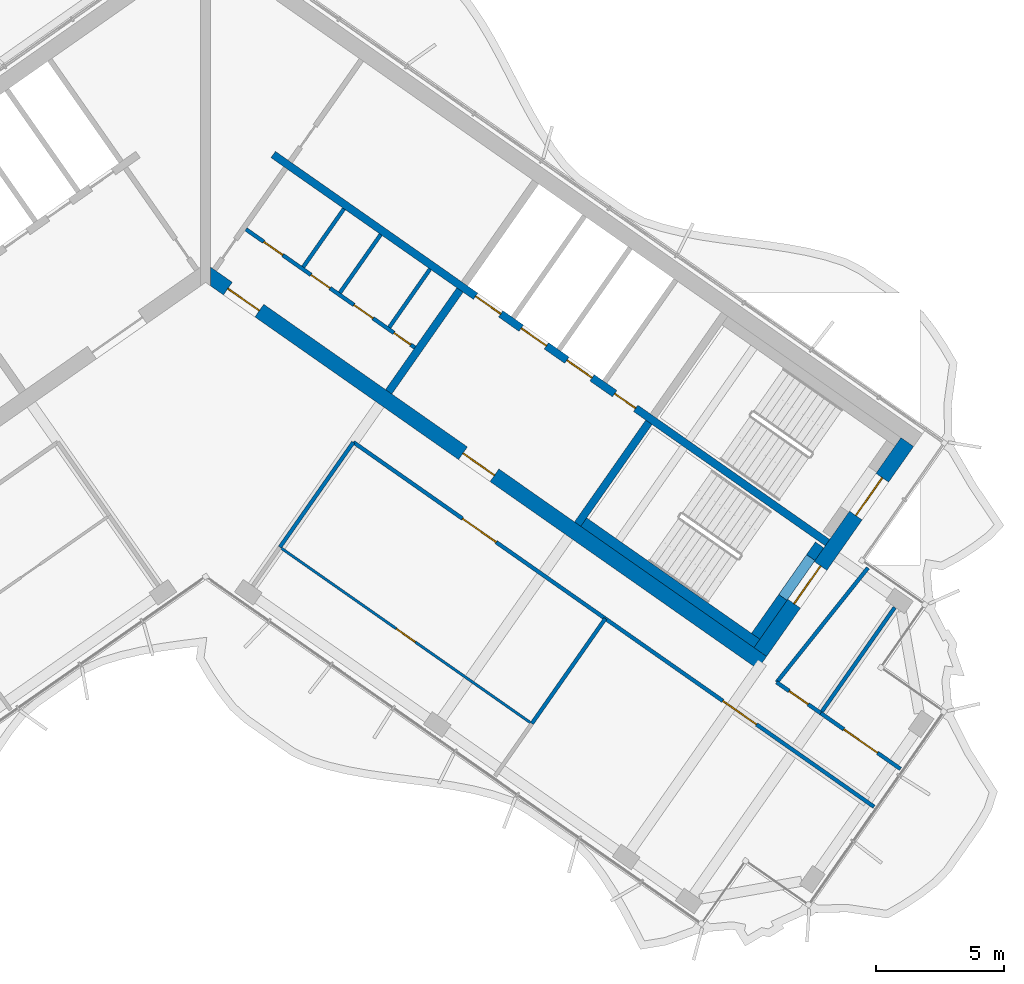
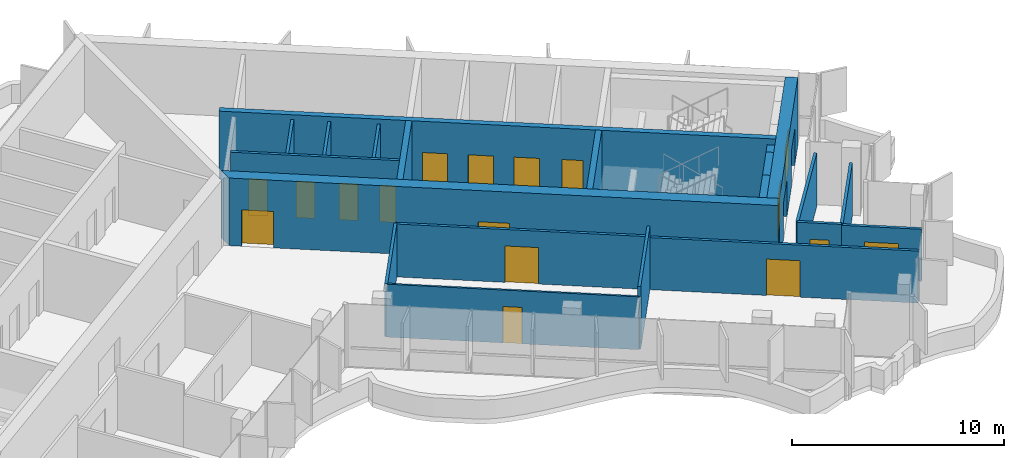
# One storey, part 10 of 18: 22 walls, 17 doors, 17 openings.
"""IFC4 building model written with IfcOpenShell, lengths in metres."""

from ifc_helpers import new_model, si_unit, direction, frame, frame_2d, origin, place, context, subcontext, project, spatial, polyline, rectangle, outline, extrude, material, layer, layer_set, type_object, element, fill, save


model = new_model("IFC4")

# Units and contexts
model_context = context("Model", 3, precision=1e-05, world=origin(), true_north=direction((0.0, 1.0)))
body_context = subcontext(model_context, "Body", "Model", "MODEL_VIEW")
ifc_project = project(units=[si_unit("LENGTHUNIT", "METRE"), si_unit("AREAUNIT", "SQUARE_METRE"), si_unit("VOLUMEUNIT", "CUBIC_METRE"), si_unit("PLANEANGLEUNIT", "RADIAN"), si_unit("MASSUNIT", "GRAM", prefix="KILO")], contexts=[model_context])

# Site, building, storey
site_placement = place(None, origin())
site = spatial("IfcSite", under=ifc_project, at=site_placement, CompositionType="ELEMENT")
building_placement = place(site_placement, origin())
building = spatial("IfcBuilding", under=site, at=building_placement, Name="Tel Ilan Convention Tower", CompositionType="ELEMENT")
storey_placement = place(building_placement, frame((0.0, 0.0, 299.5)))
storey = spatial("IfcBuildingStorey", under=building, at=storey_placement, Name="L71", CompositionType="ELEMENT", Elevation=299.5)

# Wall, openings, doors
ifc_material_1 = material(Name="Gypsum Plasterboard on Steel Stud", Category="steel")
ifc_layer_1 = layer(ifc_material_1, 0.14990234375)
ifc_layer_set_1 = layer_set([ifc_layer_1], Name="Core Room Partition Wall 150 mm EI 60")
wall_type_1 = type_object("IfcWallType", Name="Core Room Partition Wall 150 mm EI 60", PredefinedType="PARTITIONING", material=ifc_layer_set_1)
wall_1_placement = place(storey_placement, frame((1.572998046875, 0.851806640625, 0.0), z_axis=(0.0, 0.0, 1.0), x_axis=(0.819160673808, -0.573564111924, 0.0)))
wall_1 = element("IfcWall", 1, at=wall_1_placement, inside=storey, type_object=wall_type_1, Name="L71 core wall wc-h1", PredefinedType="PARTITIONING", context=body_context, shape_type="SweptSolid", body=[
    extrude(rectangle(XDim=8.050048828125, YDim=0.14990234375, at=frame_2d((4.02490234375, 0.0))), origin(), (0.0, 0.0, 1.0), 3.6201171875),
])
opening_1_placement = place(wall_1_placement, frame((0.85009765625, 0.0, 0.0)))
opening_1 = element("IfcOpeningElement", 2, at=opening_1_placement, cuts=wall_1, Name="Opening CD5414", PredefinedType="OPENING", context=body_context, shape_type="SweptSolid", body=[
    extrude(rectangle(XDim=0.89990234375, YDim=2.10009765625, at=frame_2d((0.449951171875, 1.050048828125))), frame((0.0, 0.0849609375, 0.0), z_axis=(0.0, -1.0, 0.0), x_axis=(1.0, 0.0, 0.0)), (0.0, 0.0, 1.0), 0.169921875),
])
opening_2_placement = place(wall_1_placement, frame((3.10009765625, 0.0, 0.0)))
opening_2 = element("IfcOpeningElement", 3, at=opening_2_placement, cuts=wall_1, Name="Opening CD5411", PredefinedType="OPENING", context=body_context, shape_type="SweptSolid", body=[
    extrude(rectangle(XDim=0.89990234375, YDim=2.10009765625, at=frame_2d((0.449951171875, 1.050048828125))), frame((0.0, 0.0849609375, 0.0), z_axis=(0.0, -1.0, 0.0), x_axis=(1.0, 0.0, 0.0)), (0.0, 0.0, 1.0), 0.169921875),
])
opening_3_placement = place(wall_1_placement, frame((5.14990234375, 0.0, 0.0)))
opening_3 = element("IfcOpeningElement", 4, at=opening_3_placement, cuts=wall_1, Name="Opening CD5413", PredefinedType="OPENING", context=body_context, shape_type="SweptSolid", body=[
    extrude(rectangle(XDim=0.89990234375, YDim=2.10009765625, at=frame_2d((0.449951171875, 1.050048828125))), frame((0.0, 0.0849609375, 0.0), z_axis=(0.0, -1.0, 0.0), x_axis=(1.0, 0.0, 0.0)), (0.0, 0.0, 1.0), 0.169921875),
])
opening_4_placement = place(wall_1_placement, frame((7.050048828125, 0.0, 0.0)))
opening_4 = element("IfcOpeningElement", 5, at=opening_4_placement, cuts=wall_1, Name="Opening CD5412", PredefinedType="OPENING", context=body_context, shape_type="SweptSolid", body=[
    extrude(rectangle(XDim=0.800048828125, YDim=2.10009765625, at=frame_2d((0.39990234375, 1.050048828125))), frame((0.0, 0.0849609375, 0.0), z_axis=(0.0, -1.0, 0.0), x_axis=(1.0, 0.0, 0.0)), (0.0, 0.0, 1.0), 0.169921875),
])
ifc_material_2 = material(Name="Galvanised Steel Door Leaf", Category="steel")
door_type_1 = type_object("IfcDoorType", Name="Store Door 800 x 2100 FD60", OperationType="NOTDEFINED", PredefinedType="DOOR", material=ifc_material_2)
door_1_placement = place(opening_4_placement, origin())
door_1 = element("IfcDoor", 6, at=door_1_placement, inside=storey, type_object=door_type_1, Name="Cleaner's store door", OperationType="SINGLE_SWING_RIGHT", OverallHeight=2.10009765625, OverallWidth=0.800048828125, PredefinedType="DOOR", context=body_context, shape_type="SweptSolid", body=[
    extrude(rectangle(XDim=0.800048828125, YDim=2.10009765625, at=frame_2d((0.39990234375, 1.050048828125))), frame((0.0, 0.02490234375, 0.0), z_axis=(0.0, -1.0, 0.0), x_axis=(1.0, 0.0, 0.0)), (0.0, 0.0, 1.0), 0.050048828125),
])
fill(opening_4, door_1)
ifc_material_3 = material(Name="Laminated Timber Door Leaf", Category="wood")
door_type_2 = type_object("IfcDoorType", Name="Toilet Door 900 x 2100 FD30S", OperationType="NOTDEFINED", PredefinedType="DOOR", material=ifc_material_3)
door_2_placement = place(opening_1_placement, origin())
door_2 = element("IfcDoor", 7, at=door_2_placement, inside=storey, type_object=door_type_2, Name="Women's WC door", OperationType="SINGLE_SWING_RIGHT", OverallHeight=2.10009765625, OverallWidth=0.89990234375, PredefinedType="DOOR", context=body_context, shape_type="SweptSolid", body=[
    extrude(rectangle(XDim=0.89990234375, YDim=2.10009765625, at=frame_2d((0.449951171875, 1.050048828125))), frame((0.0, 0.02490234375, 0.0), z_axis=(0.0, -1.0, 0.0), x_axis=(1.0, 0.0, 0.0)), (0.0, 0.0, 1.0), 0.050048828125),
])
fill(opening_1, door_2)
door_3_placement = place(opening_2_placement, origin())
door_3 = element("IfcDoor", 8, at=door_3_placement, inside=storey, type_object=door_type_2, Name="Accessible WC door", OperationType="SINGLE_SWING_RIGHT", OverallHeight=2.10009765625, OverallWidth=0.89990234375, PredefinedType="DOOR", context=body_context, shape_type="SweptSolid", body=[
    extrude(rectangle(XDim=0.89990234375, YDim=2.10009765625, at=frame_2d((0.449951171875, 1.050048828125))), frame((0.0, 0.02490234375, 0.0), z_axis=(0.0, -1.0, 0.0), x_axis=(1.0, 0.0, 0.0)), (0.0, 0.0, 1.0), 0.050048828125),
])
fill(opening_2, door_3)
door_4_placement = place(opening_3_placement, origin())
door_4 = element("IfcDoor", 9, at=door_4_placement, inside=storey, type_object=door_type_2, Name="Men's WC door", OperationType="SINGLE_SWING_RIGHT", OverallHeight=2.10009765625, OverallWidth=0.89990234375, PredefinedType="DOOR", context=body_context, shape_type="SweptSolid", body=[
    extrude(rectangle(XDim=0.89990234375, YDim=2.10009765625, at=frame_2d((0.449951171875, 1.050048828125))), frame((0.0, 0.02490234375, 0.0), z_axis=(0.0, -1.0, 0.0), x_axis=(1.0, 0.0, 0.0)), (0.0, 0.0, 1.0), 0.050048828125),
])
fill(opening_3, door_4)

# Walls
wall_2_placement = place(storey_placement, frame((3.807373046875, -0.62109375, 0.0), z_axis=(0.0, 0.0, 1.0), x_axis=(0.573539102583, 0.819178184407, 0.0)))
element("IfcWall", 10, at=wall_2_placement, inside=storey, type_object=wall_type_1, Name="L71 core wall wc-v0", PredefinedType="PARTITIONING", context=body_context, shape_type="SweptSolid", body=[
    extrude(rectangle(XDim=2.77490234375, YDim=0.14990234375, at=frame_2d((1.387451171875, 0.0))), origin(), (0.0, 0.0, 1.0), 3.6201171875),
])
for number, where, z_axis, x_axis, name in (
    (11, (5.24072265625, -1.625, 0.0), (0.0, 0.0, 1.0), (0.573598137089, 0.81913684884, 0.0), "L71 core wall wc-v1"),
    (12, (7.165771484375, -2.972900390625, 0.0), (0.0, 0.0, 1.0), (0.573598137089, 0.81913684884, 0.0), "L71 core wall wc-v2"),
):
    element("IfcWall", number, at=place(storey_placement, frame(where, z_axis=z_axis, x_axis=x_axis)), inside=storey, type_object=wall_type_1, Name=name, PredefinedType="PARTITIONING", context=body_context, shape_type="SweptSolid", body=[
        extrude(rectangle(XDim=2.775146484375, YDim=0.14990234375, at=frame_2d((1.3876953125, 0.0))), origin(), (0.0, 0.0, 1.0), 3.6201171875),
    ])
ifc_material_4 = material(Name="Concrete C40/50", Category="concrete")
ifc_layer_2 = layer(ifc_material_4, 0.300048828125)
ifc_layer_set_2 = layer_set([ifc_layer_2], Name="Core Shear Wall 300 mm C40/50")
wall_type_2 = type_object("IfcWallType", Name="Core Shear Wall 300 mm C40/50", PredefinedType="SHEAR", material=ifc_layer_set_2)
wall_3_placement = place(storey_placement, frame((7.142822265625, -5.48974609375, 0.0), z_axis=(0.0, 0.0, 1.0), x_axis=(0.573617744349, 0.819123118565, 0.0)))
element("IfcWall", 13, at=wall_3_placement, inside=storey, type_object=wall_type_2, Name="L71 core wall E-cross1-1", PredefinedType="SHEAR", context=body_context, shape_type="SweptSolid", body=[
    extrude(outline(polyline([(0.0, 0.14990234375), (0.0, -0.150146484375), (4.85009765625, -0.14990234375), (4.85009765625, 0.150146484375), (0.0, 0.14990234375)])), origin(), (0.0, 0.0, 1.0), 3.89990234375),
])
wall_4_placement = place(storey_placement, frame((14.515380859375, -10.652099609375, 0.0), z_axis=(0.0, 0.0, 1.0), x_axis=(0.573560315113, 0.819163332265, 0.0)))
element("IfcWall", 14, at=wall_4_placement, inside=storey, type_object=wall_type_2, Name="L71 core wall E-cross2-1", PredefinedType="SHEAR", context=body_context, shape_type="SweptSolid", body=[
    extrude(outline(polyline([(0.0, 0.150146484375), (0.0, -0.14990234375), (4.85009765625, -0.14990234375), (4.85009765625, 0.14990234375), (0.0, 0.150146484375)])), origin(), (0.0, 0.0, 1.0), 3.89990234375),
])

# Wall, openings, doors
wall_5_placement = place(storey_placement, frame((2.638427734375, 3.76806640625, 0.0), z_axis=(0.0, 0.0, 1.0), x_axis=(0.819155014212, -0.573572194837, 0.0)))
wall_5 = element("IfcWall", 15, at=wall_5_placement, inside=storey, type_object=wall_type_2, Name="L71 core wall E-spine", PredefinedType="SHEAR", context=body_context, shape_type="SweptSolid", body=[
    extrude(outline(polyline([(0.0, 0.150146484375), (0.0, -0.14990234375), (26.39990234375, -0.150146484375), (26.39990234375, 0.14990234375), (0.0, 0.150146484375)])), origin(), (0.0, 0.0, 1.0), 3.89990234375),
])
opening_5_placement = place(wall_5_placement, frame((9.637451171875, 0.0, 0.0)))
opening_5 = element("IfcOpeningElement", 16, at=opening_5_placement, cuts=wall_5, Name="Opening LD5401", PredefinedType="OPENING", context=body_context, shape_type="SweptSolid", body=[
    extrude(rectangle(XDim=1.199951171875, YDim=2.10009765625, at=frame_2d((0.60009765625, 1.050048828125))), frame((0.0, 0.159912109375, 0.0), z_axis=(0.0, -1.0, 0.0), x_axis=(1.0, 0.0, 0.0)), (0.0, 0.0, 1.0), 0.320068359375),
])
opening_6_placement = place(wall_5_placement, frame((11.8125, 0.0, 0.0)))
opening_6 = element("IfcOpeningElement", 17, at=opening_6_placement, cuts=wall_5, Name="Opening LD5402", PredefinedType="OPENING", context=body_context, shape_type="SweptSolid", body=[
    extrude(rectangle(XDim=1.199951171875, YDim=2.10009765625, at=frame_2d((0.60009765625, 1.050048828125))), frame((0.0, 0.159912109375, 0.0), z_axis=(0.0, -1.0, 0.0), x_axis=(1.0, 0.0, 0.0)), (0.0, 0.0, 1.0), 0.320068359375),
])
opening_7_placement = place(wall_5_placement, frame((13.987548828125, 0.0, 0.0)))
opening_7 = element("IfcOpeningElement", 18, at=opening_7_placement, cuts=wall_5, Name="Opening LD5403", PredefinedType="OPENING", context=body_context, shape_type="SweptSolid", body=[
    extrude(rectangle(XDim=1.199951171875, YDim=2.10009765625, at=frame_2d((0.60009765625, 1.050048828125))), frame((0.0, 0.159912109375, 0.0), z_axis=(0.0, -1.0, 0.0), x_axis=(1.0, 0.0, 0.0)), (0.0, 0.0, 1.0), 0.320068359375),
])
opening_8_placement = place(wall_5_placement, frame((16.262451171875, 0.0, 0.0)))
opening_8 = element("IfcOpeningElement", 19, at=opening_8_placement, cuts=wall_5, Name="Opening CD5408", PredefinedType="OPENING", context=body_context, shape_type="SweptSolid", body=[
    extrude(rectangle(XDim=1.0, YDim=2.10009765625, at=frame_2d((0.5, 1.050048828125))), frame((0.0, 0.159912109375, 0.0), z_axis=(0.0, -1.0, 0.0), x_axis=(1.0, 0.0, 0.0)), (0.0, 0.0, 1.0), 0.320068359375),
])
ifc_material_5 = material(Name="Stainless Steel Sliding Door Leaf", Category="steel")
door_type_3 = type_object("IfcDoorType", Name="Lift Landing Door 1200 x 2100 FD120", OperationType="NOTDEFINED", PredefinedType="DOOR", material=ifc_material_5)
door_5_placement = place(opening_5_placement, origin())
door_5 = element("IfcDoor", 20, at=door_5_placement, inside=storey, type_object=door_type_3, Name="Lift FL1 landing door", OperationType="SLIDING_TO_LEFT", OverallHeight=2.10009765625, OverallWidth=1.199951171875, PredefinedType="DOOR", context=body_context, shape_type="SweptSolid", body=[
    extrude(rectangle(XDim=1.199951171875, YDim=2.10009765625, at=frame_2d((0.60009765625, 1.050048828125))), frame((0.0, 0.02490234375, 0.0), z_axis=(0.0, -1.0, 0.0), x_axis=(1.0, 0.0, 0.0)), (0.0, 0.0, 1.0), 0.050048828125),
])
fill(opening_5, door_5)
door_6_placement = place(opening_6_placement, origin())
door_6 = element("IfcDoor", 21, at=door_6_placement, inside=storey, type_object=door_type_3, Name="Lift FL2 landing door", OperationType="SLIDING_TO_RIGHT", OverallHeight=2.10009765625, OverallWidth=1.199951171875, PredefinedType="DOOR", context=body_context, shape_type="SweptSolid", body=[
    extrude(rectangle(XDim=1.199951171875, YDim=2.10009765625, at=frame_2d((0.60009765625, 1.050048828125))), frame((0.0, 0.02490234375, 0.0), z_axis=(0.0, -1.0, 0.0), x_axis=(1.0, 0.0, 0.0)), (0.0, 0.0, 1.0), 0.050048828125),
])
fill(opening_6, door_6)
door_7_placement = place(opening_7_placement, origin())
door_7 = element("IfcDoor", 22, at=door_7_placement, inside=storey, type_object=door_type_3, Name="Lift FL3 landing door", OperationType="SLIDING_TO_LEFT", OverallHeight=2.10009765625, OverallWidth=1.199951171875, PredefinedType="DOOR", context=body_context, shape_type="SweptSolid", body=[
    extrude(rectangle(XDim=1.199951171875, YDim=2.10009765625, at=frame_2d((0.60009765625, 1.050048828125))), frame((0.0, 0.02490234375, 0.0), z_axis=(0.0, -1.0, 0.0), x_axis=(1.0, 0.0, 0.0)), (0.0, 0.0, 1.0), 0.050048828125),
])
fill(opening_7, door_7)
ifc_material_6 = material(Name="Galvanised Steel Door Leaf", Category="steel")
door_type_4 = type_object("IfcDoorType", Name="Service Room Door 1000 x 2100 FD60", OperationType="NOTDEFINED", PredefinedType="DOOR", material=ifc_material_6)
door_8_placement = place(opening_8_placement, origin())
door_8 = element("IfcDoor", 23, at=door_8_placement, inside=storey, type_object=door_type_4, Name="Plant Room door", OperationType="SINGLE_SWING_RIGHT", OverallHeight=2.10009765625, OverallWidth=1.0, PredefinedType="DOOR", context=body_context, shape_type="SweptSolid", body=[
    extrude(rectangle(XDim=1.0, YDim=2.10009765625, at=frame_2d((0.5, 1.050048828125))), frame((0.0, 0.02490234375, 0.0), z_axis=(0.0, -1.0, 0.0), x_axis=(1.0, 0.0, 0.0)), (0.0, 0.0, 1.0), 0.050048828125),
])
fill(opening_8, door_8)

ifc_material_7 = material(Name="Concrete C40/50", Category="concrete")
ifc_layer_3 = layer(ifc_material_7, 0.60009765625)
ifc_layer_set_3 = layer_set([ifc_layer_3], Name="Core Shear Wall 600 mm C40/50")
wall_type_3 = type_object("IfcWallType", Name="Core Shear Wall 600 mm C40/50", PredefinedType="SHEAR", material=ifc_layer_set_3)
wall_6_placement = place(storey_placement, frame((0.02783203125, -0.8740234375, 0.0), z_axis=(0.0, 0.0, 1.0), x_axis=(0.819150035022, -0.573579305871, 0.0)))
wall_6 = element("IfcWall", 24, at=wall_6_placement, inside=storey, type_object=wall_type_3, Name="L71 core wall E-front", PredefinedType="SHEAR", context=body_context, shape_type="SweptSolid", body=[
    extrude(outline(polyline([(26.475830078125, 0.300048828125), (0.000244140625, 0.300048828125), (0.420166015625, -0.300048828125), (26.475830078125, -0.2998046875), (26.475830078125, 0.300048828125)])), origin(), (0.0, 0.0, 1.0), 3.89990234375),
])
opening_9_placement = place(wall_6_placement, frame((1.02587890625, 0.0, 0.0)))
opening_9 = element("IfcOpeningElement", 25, at=opening_9_placement, cuts=wall_6, Name="Opening CD5404", PredefinedType="OPENING", context=body_context, shape_type="SweptSolid", body=[
    extrude(rectangle(XDim=1.5, YDim=2.10009765625, at=frame_2d((0.75, 1.050048828125))), frame((0.0, 0.31005859375, 0.0), z_axis=(0.0, -1.0, 0.0), x_axis=(1.0, 0.0, 0.0)), (0.0, 0.0, 1.0), 0.6201171875),
])
opening_10_placement = place(wall_6_placement, frame((12.225830078125, 0.0, 0.0)))
opening_10 = element("IfcOpeningElement", 26, at=opening_10_placement, cuts=wall_6, Name="Opening CD5405", PredefinedType="OPENING", context=body_context, shape_type="SweptSolid", body=[
    extrude(rectangle(XDim=1.5, YDim=2.10009765625, at=frame_2d((0.75, 1.050048828125))), frame((0.0, 0.31005859375, 0.0), z_axis=(0.0, -1.0, 0.0), x_axis=(1.0, 0.0, 0.0)), (0.0, 0.0, 1.0), 0.6201171875),
])
ifc_material_8 = material(Name="Glazed Aluminium Door Leaf", Category="aluminium")
door_type_5 = type_object("IfcDoorType", Name="Lobby Opening Door 1500 x 2100 FD60S", OperationType="NOTDEFINED", PredefinedType="DOOR", material=ifc_material_8)
door_9_placement = place(opening_10_placement, origin())
door_9 = element("IfcDoor", 27, at=door_9_placement, inside=storey, type_object=door_type_5, Name="Firefighting Lobby door", OperationType="DOUBLE_DOOR_SINGLE_SWING", OverallHeight=2.10009765625, OverallWidth=1.5, PredefinedType="DOOR", context=body_context, shape_type="SweptSolid", body=[
    extrude(rectangle(XDim=1.5, YDim=2.10009765625, at=frame_2d((0.75, 1.050048828125))), frame((0.0, 0.02490234375, 0.0), z_axis=(0.0, -1.0, 0.0), x_axis=(1.0, 0.0, 0.0)), (0.0, 0.0, 1.0), 0.050048828125),
])
fill(opening_10, door_9)
ifc_material_9 = material(Name="Laminated Timber Door Leaf", Category="wood")
door_type_6 = type_object("IfcDoorType", Name="Toilet Door 1500 x 2100 FD30S", OperationType="NOTDEFINED", PredefinedType="DOOR", material=ifc_material_9)
door_10_placement = place(opening_9_placement, origin())
door_10 = element("IfcDoor", 28, at=door_10_placement, inside=storey, type_object=door_type_6, Name="WC Lobby door", OperationType="SINGLE_SWING_RIGHT", OverallHeight=2.10009765625, OverallWidth=1.5, PredefinedType="DOOR", context=body_context, shape_type="SweptSolid", body=[
    extrude(rectangle(XDim=1.5, YDim=2.10009765625, at=frame_2d((0.75, 1.050048828125))), frame((0.0, 0.02490234375, 0.0), z_axis=(0.0, -1.0, 0.0), x_axis=(1.0, 0.0, 0.0)), (0.0, 0.0, 1.0), 0.050048828125),
])
fill(opening_9, door_10)

wall_7_placement = place(storey_placement, frame((21.641845703125, -15.64208984375, 0.0), z_axis=(0.0, 0.0, 1.0), x_axis=(0.573586866468, 0.819144740944, 0.0)))
wall_7 = element("IfcWall", 29, at=wall_7_placement, inside=storey, type_object=wall_type_3, Name="L71 core wall E-end", PredefinedType="SHEAR", context=body_context, shape_type="SweptSolid", body=[
    extrude(outline(polyline([(10.0, 0.300048828125), (0.0, 0.2998046875), (0.0, -0.300048828125), (10.0, -0.300048828125), (10.0, 0.300048828125)])), origin(), (0.0, 0.0, 1.0), 3.89990234375),
])
opening_11_placement = place(wall_7_placement, frame((6.5, 0.0, 0.0)))
opening_11 = element("IfcOpeningElement", 30, at=opening_11_placement, cuts=wall_7, Name="Opening SD5403", PredefinedType="OPENING", context=body_context, shape_type="SweptSolid", body=[
    extrude(rectangle(XDim=1.800048828125, YDim=2.10009765625, at=frame_2d((0.89990234375, 1.050048828125))), frame((0.0, 0.31005859375, 0.0), z_axis=(0.0, -1.0, 0.0), x_axis=(1.0, 0.0, 0.0)), (0.0, 0.0, 1.0), 0.6201171875),
])
opening_12_placement = place(wall_7_placement, frame((2.300048828125, 0.0, 0.0)))
opening_12 = element("IfcOpeningElement", 31, at=opening_12_placement, cuts=wall_7, Name="Opening SD5404", PredefinedType="OPENING", context=body_context, shape_type="SweptSolid", body=[
    extrude(rectangle(XDim=1.800048828125, YDim=2.10009765625, at=frame_2d((0.89990234375, 1.050048828125))), frame((0.0, 0.31005859375, 0.0), z_axis=(0.0, -1.0, 0.0), x_axis=(1.0, 0.0, 0.0)), (0.0, 0.0, 1.0), 0.6201171875),
])
ifc_material_10 = material(Name="Galvanised Steel Door Leaf", Category="steel")
door_type_7 = type_object("IfcDoorType", Name="Stair Fire Door 1800 x 2100 FD60S", OperationType="NOTDEFINED", PredefinedType="DOOR", material=ifc_material_10)
door_11_placement = place(opening_11_placement, origin())
door_11 = element("IfcDoor", 32, at=door_11_placement, inside=storey, type_object=door_type_7, Name="Stair S3 door", OperationType="DOUBLE_DOOR_SINGLE_SWING", OverallHeight=2.10009765625, OverallWidth=1.800048828125, PredefinedType="DOOR", context=body_context, shape_type="SweptSolid", body=[
    extrude(rectangle(XDim=1.800048828125, YDim=2.10009765625, at=frame_2d((0.89990234375, 1.050048828125))), frame((0.0, 0.02490234375, 0.0), z_axis=(0.0, -1.0, 0.0), x_axis=(1.0, 0.0, 0.0)), (0.0, 0.0, 1.0), 0.050048828125),
])
fill(opening_11, door_11)
door_12_placement = place(opening_12_placement, origin())
door_12 = element("IfcDoor", 33, at=door_12_placement, inside=storey, type_object=door_type_7, Name="Stair S4 door", OperationType="DOUBLE_DOOR_SINGLE_SWING", OverallHeight=2.10009765625, OverallWidth=1.800048828125, PredefinedType="DOOR", context=body_context, shape_type="SweptSolid", body=[
    extrude(rectangle(XDim=1.800048828125, YDim=2.10009765625, at=frame_2d((0.89990234375, 1.050048828125))), frame((0.0, 0.02490234375, 0.0), z_axis=(0.0, -1.0, 0.0), x_axis=(1.0, 0.0, 0.0)), (0.0, 0.0, 1.0), 0.050048828125),
])
fill(opening_12, door_12)

# Wall, opening, door
ifc_material_11 = material(Name="Plasterboard on Steel Studs", Category="steel")
ifc_layer_4 = layer(ifc_material_11, 0.14990234375)
ifc_layer_set_4 = layer_set([ifc_layer_4], Name="Fire-rated Partition 150 EI 60")
wall_type_4 = type_object("IfcWallType", Name="Fire-rated Partition 150 EI 60", PredefinedType="PARTITIONING", material=ifc_layer_set_4)
wall_8_placement = place(storey_placement, frame((22.280517578125, -16.82177734375, 0.0), z_axis=(0.0, 0.0, 1.0), x_axis=(0.819166447083, -0.573555866479, 0.0)))
wall_8 = element("IfcWall", 34, at=wall_8_placement, inside=storey, type_object=wall_type_4, Name="Partition 001", PredefinedType="PARTITIONING", context=body_context, shape_type="SweptSolid", body=[
    extrude(rectangle(XDim=2.102294921875, YDim=0.14990234375, at=frame_2d((1.05126953125, 0.0))), origin(), (0.0, 0.0, 1.0), 3.050048828125),
])
opening_13_placement = place(wall_8_placement, frame((0.60107421875, 0.0, 0.0)))
opening_13 = element("IfcOpeningElement", 35, at=opening_13_placement, cuts=wall_8, Name="Opening L71-011", PredefinedType="OPENING", context=body_context, shape_type="SweptSolid", body=[
    extrude(rectangle(XDim=0.89990234375, YDim=2.10009765625, at=frame_2d((0.449951171875, 1.050048828125))), frame((0.0, 0.0849609375, 0.0), z_axis=(0.0, -1.0, 0.0), x_axis=(1.0, 0.0, 0.0)), (0.0, 0.0, 1.0), 0.169921875),
])
ifc_material_12 = material(Name="Timber Door Leaf in Steel Frame", Category="steel")
door_type_8 = type_object("IfcDoorType", Name="Room Fire Door 900x2100", OperationType="NOTDEFINED", PredefinedType="DOOR", material=ifc_material_12)
door_13_placement = place(opening_13_placement, origin())
door_13 = element("IfcDoor", 36, at=door_13_placement, inside=storey, type_object=door_type_8, Name="Door L71-011", OperationType="SINGLE_SWING_RIGHT", OverallHeight=2.10009765625, OverallWidth=0.89990234375, PredefinedType="DOOR", context=body_context, shape_type="SweptSolid", body=[
    extrude(rectangle(XDim=0.89990234375, YDim=2.10009765625, at=frame_2d((0.449951171875, 1.050048828125))), frame((0.0, 0.02490234375, 0.0), z_axis=(0.0, -1.0, 0.0), x_axis=(1.0, 0.0, 0.0)), (0.0, 0.0, 1.0), 0.050048828125),
])
fill(opening_13, door_13)

wall_9_placement = place(storey_placement, frame((23.999267578125, -18.025390625, 0.0), z_axis=(0.0, 0.0, 1.0), x_axis=(0.819168564183, -0.573552842775, 0.0)))
wall_9 = element("IfcWall", 37, at=wall_9_placement, inside=storey, type_object=wall_type_4, Name="Partition 002", PredefinedType="PARTITIONING", context=body_context, shape_type="SweptSolid", body=[
    extrude(rectangle(XDim=3.802001953125, YDim=0.14990234375, at=frame_2d((1.90087890625, 0.0))), origin(), (0.0, 0.0, 1.0), 3.0),
])
opening_14_placement = place(wall_9_placement, frame((1.10107421875, 0.0, 0.0)))
opening_14 = element("IfcOpeningElement", 38, at=opening_14_placement, cuts=wall_9, Name="Opening L71-012", PredefinedType="OPENING", context=body_context, shape_type="SweptSolid", body=[
    extrude(rectangle(XDim=1.60009765625, YDim=2.10009765625, at=frame_2d((0.800048828125, 1.050048828125))), frame((0.0, 0.0849609375, 0.0), z_axis=(0.0, -1.0, 0.0), x_axis=(1.0, 0.0, 0.0)), (0.0, 0.0, 1.0), 0.169921875),
])
ifc_material_13 = material(Name="Timber Door Leaf in Steel Frame", Category="steel")
door_type_9 = type_object("IfcDoorType", Name="Tenant Suite Entrance Fire Door 1600x2100", OperationType="NOTDEFINED", PredefinedType="DOOR", material=ifc_material_13)
door_14_placement = place(opening_14_placement, origin())
door_14 = element("IfcDoor", 39, at=door_14_placement, inside=storey, type_object=door_type_9, Name="Door L71-012", OperationType="DOUBLE_DOOR_SINGLE_SWING", OverallHeight=2.10009765625, OverallWidth=1.60009765625, PredefinedType="DOOR", context=body_context, shape_type="SweptSolid", body=[
    extrude(rectangle(XDim=1.60009765625, YDim=2.10009765625, at=frame_2d((0.800048828125, 1.050048828125))), frame((0.0, 0.02490234375, 0.0), z_axis=(0.0, -1.0, 0.0), x_axis=(1.0, 0.0, 0.0)), (0.0, 0.0, 1.0), 0.050048828125),
])
fill(opening_14, door_14)

wall_10_placement = place(storey_placement, frame((15.597900390625, -14.33984375, 0.0), z_axis=(0.0, 0.0, 1.0), x_axis=(-0.81915546166, 0.573571555809, 0.0)))
wall_10 = element("IfcWall", 40, at=wall_10_placement, inside=storey, type_object=wall_type_4, Name="Partition 003", PredefinedType="PARTITIONING", context=body_context, shape_type="SweptSolid", body=[
    extrude(rectangle(XDim=12.001953125, YDim=0.14990234375, at=frame_2d((6.0009765625, 0.0))), origin(), (0.0, 0.0, 1.0), 3.050048828125),
])
opening_15_placement = place(wall_10_placement, frame((5.200927734375, 0.0, 0.0)))
opening_15 = element("IfcOpeningElement", 41, at=opening_15_placement, cuts=wall_10, Name="Opening L71-008", PredefinedType="OPENING", context=body_context, shape_type="SweptSolid", body=[
    extrude(rectangle(XDim=1.60009765625, YDim=2.10009765625, at=frame_2d((0.800048828125, 1.050048828125))), frame((0.0, 0.0849609375, 0.0), z_axis=(0.0, -1.0, 0.0), x_axis=(1.0, 0.0, 0.0)), (0.0, 0.0, 1.0), 0.169921875),
])
door_15_placement = place(opening_15_placement, origin())
door_15 = element("IfcDoor", 42, at=door_15_placement, inside=storey, type_object=door_type_9, Name="Door L71-008", OperationType="DOUBLE_DOOR_SINGLE_SWING", OverallHeight=2.10009765625, OverallWidth=1.60009765625, PredefinedType="DOOR", context=body_context, shape_type="SweptSolid", body=[
    extrude(rectangle(XDim=1.60009765625, YDim=2.10009765625, at=frame_2d((0.800048828125, 1.050048828125))), frame((0.0, 0.02490234375, 0.0), z_axis=(0.0, -1.0, 0.0), x_axis=(1.0, 0.0, 0.0)), (0.0, 0.0, 1.0), 0.050048828125),
])
fill(opening_15, door_15)

wall_11_placement = place(storey_placement, frame((26.081298828125, -21.680419921875, 0.0), z_axis=(0.0, 0.0, 1.0), x_axis=(-0.819158447199, 0.573567291939, 0.0)))
wall_11 = element("IfcWall", 43, at=wall_11_placement, inside=storey, type_object=wall_type_4, Name="Partition 004", PredefinedType="PARTITIONING", context=body_context, shape_type="SweptSolid", body=[
    extrude(rectangle(XDim=12.802001953125, YDim=0.14990234375, at=frame_2d((6.40087890625, 0.0))), origin(), (0.0, 0.0, 1.0), 3.0),
])
opening_16_placement = place(wall_11_placement, frame((5.60107421875, 0.0, 0.0)))
opening_16 = element("IfcOpeningElement", 44, at=opening_16_placement, cuts=wall_11, Name="Opening L71-010", PredefinedType="OPENING", context=body_context, shape_type="SweptSolid", body=[
    extrude(rectangle(XDim=1.60009765625, YDim=2.10009765625, at=frame_2d((0.800048828125, 1.050048828125))), frame((0.0, 0.0849609375, 0.0), z_axis=(0.0, -1.0, 0.0), x_axis=(1.0, 0.0, 0.0)), (0.0, 0.0, 1.0), 0.169921875),
])
door_16_placement = place(opening_16_placement, origin())
door_16 = element("IfcDoor", 45, at=door_16_placement, inside=storey, type_object=door_type_9, Name="Door L71-010", OperationType="DOUBLE_DOOR_SINGLE_SWING", OverallHeight=2.10009765625, OverallWidth=1.60009765625, PredefinedType="DOOR", context=body_context, shape_type="SweptSolid", body=[
    extrude(rectangle(XDim=1.60009765625, YDim=2.10009765625, at=frame_2d((0.800048828125, 1.050048828125))), frame((0.0, 0.02490234375, 0.0), z_axis=(0.0, -1.0, 0.0), x_axis=(1.0, 0.0, 0.0)), (0.0, 0.0, 1.0), 0.050048828125),
])
fill(opening_16, door_16)

# Walls
wall_12_placement = place(storey_placement, frame((26.885986328125, -13.906005859375, 0.0), z_axis=(0.0, 0.0, 1.0), x_axis=(-0.573563323307, -0.819161225985, 0.0)))
element("IfcWall", 46, at=wall_12_placement, inside=storey, type_object=wall_type_4, Name="Partition 011", PredefinedType="PARTITIONING", context=body_context, shape_type="SweptSolid", body=[
    extrude(rectangle(XDim=5.030029296875, YDim=0.14990234375, at=frame_2d((2.51513671875, 0.0))), origin(), (0.0, 0.0, 1.0), 3.050048828125),
])
wall_13_placement = place(storey_placement, frame((22.2822265625, -16.822998046875, 0.0), z_axis=(0.0, 0.0, 1.0), x_axis=(0.623563137477, 0.781772993637, 0.0)))
element("IfcWall", 47, at=wall_13_placement, inside=storey, type_object=wall_type_4, Name="Partition 012", PredefinedType="PARTITIONING", context=body_context, shape_type="SweptSolid", body=[
    extrude(rectangle(XDim=5.711181640625, YDim=0.14990234375, at=frame_2d((2.85546875, 0.0))), origin(), (0.0, 0.0, 1.0), 3.050048828125),
])
wall_14_placement = place(storey_placement, frame((15.59619140625, -14.338623046875, 0.0), z_axis=(0.0, 0.0, 1.0), x_axis=(-0.573563925118, -0.819160804606, 0.0)))
element("IfcWall", 48, at=wall_14_placement, inside=storey, type_object=wall_type_4, Name="Partition 016", PredefinedType="PARTITIONING", context=body_context, shape_type="SweptSolid", body=[
    extrude(rectangle(XDim=5.000244140625, YDim=0.14990234375, at=frame_2d((2.5, 0.0))), origin(), (0.0, 0.0, 1.0), 3.6201171875),
])
wall_15_placement = place(storey_placement, frame((2.8984375, -11.551513671875, 0.0), z_axis=(0.0, 0.0, 1.0), x_axis=(0.573586866468, 0.819144740944, 0.0)))
element("IfcWall", 49, at=wall_15_placement, inside=storey, type_object=wall_type_4, Name="Partition 017", PredefinedType="PARTITIONING", context=body_context, shape_type="SweptSolid", body=[
    extrude(rectangle(XDim=5.0, YDim=0.14990234375, at=frame_2d((2.5, 0.0))), origin(), (0.0, 0.0, 1.0), 3.050048828125),
])

# Wall, opening, door
ifc_material_14 = material(Name="Plasterboard on Steel Studs", Category="steel")
ifc_layer_5 = layer(ifc_material_14, 0.10009765625)
ifc_layer_set_5 = layer_set([ifc_layer_5], Name="Plasterboard Partition 100")
wall_type_5 = type_object("IfcWallType", Name="Plasterboard Partition 100", PredefinedType="PARTITIONING", material=ifc_layer_set_5)
wall_16_placement = place(storey_placement, frame((12.727783203125, -18.435302734375, 0.0), z_axis=(0.0, 0.0, 1.0), x_axis=(-0.819156404271, 0.573570209602, 0.0)))
wall_16 = element("IfcWall", 50, at=wall_16_placement, inside=storey, type_object=wall_type_5, Name="Partition 013", PredefinedType="PARTITIONING", context=body_context, shape_type="SweptSolid", body=[
    extrude(rectangle(XDim=12.0, YDim=0.10009765625, at=frame_2d((6.0, 0.0))), origin(), (0.0, 0.0, 1.0), 3.050048828125),
])
opening_17_placement = place(wall_16_placement, frame((5.550048828125, 0.0, 0.0)))
opening_17 = element("IfcOpeningElement", 51, at=opening_17_placement, cuts=wall_16, Name="Opening L71-009", PredefinedType="OPENING", context=body_context, shape_type="SweptSolid", body=[
    extrude(rectangle(XDim=0.89990234375, YDim=2.10009765625, at=frame_2d((0.449951171875, 1.050048828125))), frame((0.0, 0.06005859375, 0.0), z_axis=(0.0, -1.0, 0.0), x_axis=(1.0, 0.0, 0.0)), (0.0, 0.0, 1.0), 0.1201171875),
])
ifc_material_15 = material(Name="Timber Door Leaf in Steel Frame", Category="steel")
door_type_10 = type_object("IfcDoorType", Name="Room Timber Door 900x2100", OperationType="NOTDEFINED", PredefinedType="DOOR", material=ifc_material_15)
door_17_placement = place(opening_17_placement, origin())
door_17 = element("IfcDoor", 52, at=door_17_placement, inside=storey, type_object=door_type_10, Name="Door L71-009", OperationType="SINGLE_SWING_LEFT", OverallHeight=2.10009765625, OverallWidth=0.89990234375, PredefinedType="DOOR", context=body_context, shape_type="SweptSolid", body=[
    extrude(rectangle(XDim=0.89990234375, YDim=2.10009765625, at=frame_2d((0.449951171875, 1.050048828125))), frame((0.0, 0.02490234375, 0.0), z_axis=(0.0, -1.0, 0.0), x_axis=(1.0, 0.0, 0.0)), (0.0, 0.0, 1.0), 0.050048828125),
])
fill(opening_17, door_17)

# Walls
ifc_material_16 = material(Name="Concrete C30/37", Category="concrete")
ifc_layer_6 = layer(ifc_material_16, 0.39990234375)
ifc_layer_set_6 = layer_set([ifc_layer_6], Name="Stair and Shaft Lining Wall 400 mm C30/37")
wall_type_6 = type_object("IfcWallType", Name="Stair and Shaft Lining Wall 400 mm C30/37", PredefinedType="SOLIDWALL", material=ifc_layer_set_6)
wall_17_placement = place(storey_placement, frame((14.7529296875, -10.57421875, 0.0), z_axis=(0.0, 0.0, 1.0), x_axis=(0.819158229677, -0.573567602601, 0.0)))
element("IfcWall", 53, at=wall_17_placement, inside=storey, type_object=wall_type_6, Name="L71 core wall lining-S4-t0", PredefinedType="SOLIDWALL", context=body_context, shape_type="SweptSolid", body=[
    extrude(rectangle(XDim=8.25, YDim=0.39990234375, at=frame_2d((4.125, 0.0))), origin(), (0.0, 0.0, 1.0), 3.6201171875),
])
wall_18_placement = place(storey_placement, frame((21.4619140625, -15.027587890625, 0.0), z_axis=(0.0, 0.0, 1.0), x_axis=(0.573559770908, 0.819163713305, 0.0)))
element("IfcWall", 54, at=wall_18_placement, inside=storey, type_object=wall_type_6, Name="L71 core wall lining-S4-u1-0", PredefinedType="SOLIDWALL", context=body_context, shape_type="SweptSolid", body=[
    extrude(rectangle(XDim=1.849853515625, YDim=0.39990234375, at=frame_2d((0.9248046875, 0.0))), origin(), (0.0, 0.0, 1.0), 3.6201171875),
])
wall_19_placement = place(storey_placement, frame((23.61279296875, -11.955810546875, 0.0), z_axis=(0.0, 0.0, 1.0), x_axis=(0.573435029941, 0.819251039936, 0.0)))
element("IfcWall", 55, at=wall_19_placement, inside=storey, type_object=wall_type_6, Name="L71 core wall lining-S4-u1-1", PredefinedType="SOLIDWALL", context=body_context, shape_type="SweptSolid", body=[
    extrude(rectangle(XDim=0.599853515625, YDim=0.39990234375, at=frame_2d((0.2998046875, 0.0))), origin(), (0.0, 0.0, 1.0), 3.6201171875),
])
wall_20_placement = place(storey_placement, frame((22.52294921875, -13.51220703125, 2.14990234375), z_axis=(0.0, 0.0, 1.0), x_axis=(0.573591692345, 0.819141361715, 0.0)))
element("IfcWall", 56, at=wall_20_placement, inside=storey, type_object=wall_type_6, Name="L71 core wall lining-S4-u1-lintel", PredefinedType="SOLIDWALL", context=body_context, shape_type="SweptSolid", body=[
    extrude(rectangle(XDim=1.900146484375, YDim=0.39990234375, at=frame_2d((0.9501953125, 0.0))), origin(), (0.0, 0.0, 1.0), 1.47021484375),
])

save(model, "model.ifc")
